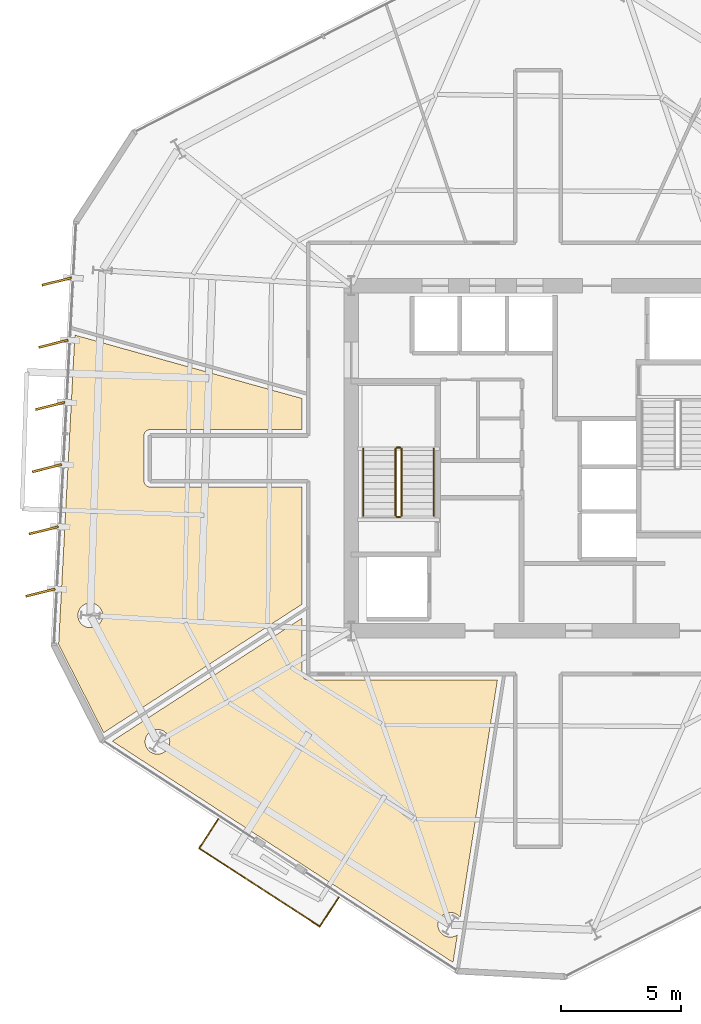
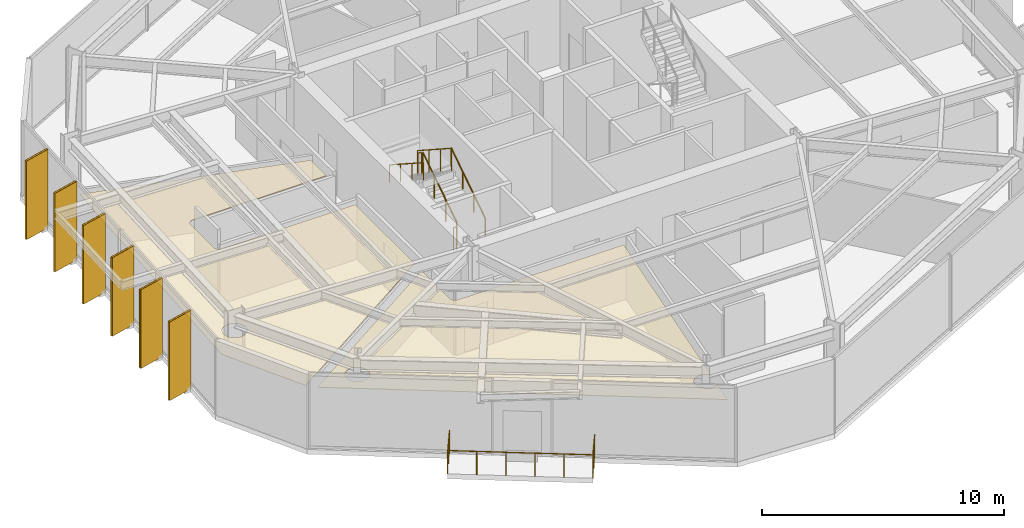
# One storey, part 9 of 10: 8 coverings, 7 railings, 6 shading devices.
"""IFC4 building model written with IfcOpenShell, lengths in metres."""

import ifcopenshell
import ifcopenshell.guid

model = None  # the IFC model being written
_history = None  # IfcOwnerHistory: only IFC2X3 demands one
_inside = {}  # id of a spatial element -> (the spatial element, [elements in it])
_under = {}  # id of a project, library or spatial element -> (it, [spatial elements below it])
_declared = {}  # id of a project -> (the project, [libraries it declares])
_typed = {}  # id of a type object -> (the type object, [elements of that type])
_made_of = {}  # id of a material, layer set ... -> (it, [elements and type objects made of it])


def new_model(schema):
    """Start an empty IFC model of exactly this schema.

    Asked for "IFC4X3", IfcOpenShell would pick the latest addendum, in which some entities
    have other attributes; the version numbers below select the first issue.
    IFC2X3 requires an IfcOwnerHistory on every rooted entity: one is made here for all.
    """
    global model, _history
    if schema == "IFC4X3":
        model = ifcopenshell.file(schema_version=(4, 3, 0, 0))
    else:
        model = ifcopenshell.file(schema=schema)
    _inside.clear()
    _under.clear()
    _declared.clear()
    _typed.clear()
    _made_of.clear()
    _history = None
    if model.schema == "IFC2X3":
        org = make("IfcOrganization", Name="unknown")
        user = make(
            "IfcPersonAndOrganization",
            ThePerson=make("IfcPerson", FamilyName="unknown"),
            TheOrganization=org,
        )
        app = make(
            "IfcApplication",
            ApplicationDeveloper=org,
            Version="unknown",
            ApplicationFullName="unknown",
            ApplicationIdentifier="unknown",
        )
        _history = make(
            "IfcOwnerHistory",
            OwningUser=user,
            OwningApplication=app,
            ChangeAction="ADDED",
            CreationDate=0,
        )
    return model


def make(cls, **values):
    """One entity of the class cls with the attributes given. An attribute that is None is left unset."""
    return model.create_entity(
        cls, **{name: value for name, value in values.items() if value is not None}
    )


def rooted(cls, **values):
    """An entity with a GlobalId (a new one), such as an element, a storey or a relation."""
    return make(cls, GlobalId=ifcopenshell.guid.new(), OwnerHistory=_history, **values)


def si_unit(unit_type, name, prefix=None):
    """IfcSIUnit, for example si_unit("LENGTHUNIT", "METRE", prefix="MILLI")."""
    return make("IfcSIUnit", UnitType=unit_type, Prefix=prefix, Name=name)


def assignment(units):
    """IfcUnitAssignment: the units of a project."""
    return None if units is None else make("IfcUnitAssignment", Units=units)


def point(xyz):
    """IfcCartesianPoint."""
    return None if xyz is None else make("IfcCartesianPoint", Coordinates=xyz)


def direction(xyz):
    """IfcDirection."""
    return None if xyz is None else make("IfcDirection", DirectionRatios=xyz)


def frame(location, z_axis=None, x_axis=None):
    """IfcAxis2Placement3D, a coordinate frame: its origin and axes. An axis left out is left unset."""
    return make(
        "IfcAxis2Placement3D",
        Location=point(location),
        Axis=direction(z_axis),
        RefDirection=direction(x_axis),
    )


def frame_2d(location, x_axis=None):
    """IfcAxis2Placement2D, a coordinate frame in the plane: its origin and x axis."""
    return make(
        "IfcAxis2Placement2D", Location=point(location), RefDirection=direction(x_axis)
    )


def origin():
    """The frame at (0, 0, 0) with its axes left unset."""
    return frame((0.0, 0.0, 0.0))


def origin_2d():
    """The frame at (0, 0) in the plane with its x axis left unset."""
    return frame_2d((0.0, 0.0))


def place(relative_to, where):
    """IfcLocalPlacement: puts the frame where relative to a parent placement (None: the world)."""
    return make(
        "IfcLocalPlacement", PlacementRelTo=relative_to, RelativePlacement=where
    )


def context(
    kind, dimensions, precision=None, world=None, true_north=None, identifier=None
):
    """IfcGeometricRepresentationContext, for example the 3D "Model" context."""
    return make(
        "IfcGeometricRepresentationContext",
        ContextIdentifier=identifier,
        ContextType=kind,
        CoordinateSpaceDimension=dimensions,
        Precision=precision,
        WorldCoordinateSystem=world,
        TrueNorth=true_north,
    )


def subcontext(parent, identifier, kind, view, scale=None):
    """IfcGeometricRepresentationSubContext, for example "Body" below "Model"."""
    return make(
        "IfcGeometricRepresentationSubContext",
        ContextIdentifier=identifier,
        ContextType=kind,
        ParentContext=parent,
        TargetScale=scale,
        TargetView=view,
    )


def project(units=None, contexts=None):
    """IfcProject with its units and contexts."""
    return rooted(
        "IfcProject",
        Name="project",
        RepresentationContexts=contexts,
        UnitsInContext=assignment(units),
    )


def spatial(cls, under=None, at=None, **own):
    """A site, building, storey or space (cls), placed at a placement, below another one or the project."""
    s = rooted(cls, ObjectPlacement=at, **own)
    if under is not None:
        _under.setdefault(under.id(), (under, []))[1].append(s)
    return s


def polyline(points):
    """IfcPolyline through the points."""
    return make("IfcPolyline", Points=[point(p) for p in points])


def profile(cls, at=None, kind="AREA", **sizes):
    """A parametric profile (cls). Its sizes go by their IFC names, for example OverallWidth=200.0."""
    return make(cls, ProfileType=kind, Position=at, **sizes)


def rectangle(**sizes):
    """IfcRectangleProfileDef."""
    return profile("IfcRectangleProfileDef", **sizes)


def circle(**sizes):
    """IfcCircleProfileDef."""
    return profile("IfcCircleProfileDef", **sizes)


def outline(outer, holes=None, kind="AREA"):
    """IfcArbitraryClosedProfileDef: a profile drawn as a closed curve; with holes, ...WithVoids."""
    if holes is None:
        return make("IfcArbitraryClosedProfileDef", ProfileType=kind, OuterCurve=outer)
    return make(
        "IfcArbitraryProfileDefWithVoids",
        ProfileType=kind,
        OuterCurve=outer,
        InnerCurves=holes,
    )


def extrude(swept, where, along, depth):
    """IfcExtrudedAreaSolid: the profile swept, set in the frame where, extruded along a direction by depth."""
    return make(
        "IfcExtrudedAreaSolid",
        SweptArea=swept,
        Position=where,
        ExtrudedDirection=direction(along),
        Depth=depth,
    )


def shape(context_of_items, identifier, shape_type, items):
    """IfcShapeRepresentation: the items that make up one representation, for example the "Body"."""
    return make(
        "IfcShapeRepresentation",
        ContextOfItems=context_of_items,
        RepresentationIdentifier=identifier,
        RepresentationType=shape_type,
        Items=items,
    )


def material(Name=None, Category=None):
    """IfcMaterial."""
    return make("IfcMaterial", Name=Name, Category=Category)


def layer(
    of_material, thickness, ventilated=None, Name=None, Category=None, Priority=None
):
    """IfcMaterialLayer: one layer of a wall or slab, of a material (None: an air gap)."""
    return make(
        "IfcMaterialLayer",
        Material=of_material,
        LayerThickness=thickness,
        IsVentilated=ventilated,
        Name=Name,
        Category=Category,
        Priority=Priority,
    )


def layer_set(layers, Name=None):
    """IfcMaterialLayerSet."""
    return make("IfcMaterialLayerSet", MaterialLayers=layers, LayerSetName=Name)


def made_of(thing, what):
    """Note that an element or type object is made of a material, layer set ...; save() writes the relation."""
    if what is not None:
        _made_of.setdefault(what.id(), (what, []))[1].append(thing)
    return thing


def type_object(cls, material=None, **own):
    """A type object (cls), such as IfcWallType, which elements share."""
    return made_of(rooted(cls, **own), material)


def element(
    cls,
    number,
    at=None,
    inside=None,
    cuts=None,
    type_object=None,
    material=None,
    context=None,
    identifier="Body",
    shape_type=None,
    held_by="IfcProductDefinitionShape",
    body=None,
    shapes=None,
    **own,
):
    """One element of the class cls, such as IfcWall. Its Tag is "e" and its number.

    at: its placement. inside: the storey or other place that contains it. cuts: it is an
    opening in that element (IfcRelVoidsElement). A single representation is given by context,
    identifier, shape_type and body (its items); several are given by shapes. held_by: the class
    of the entity that holds the representations. save() writes the other relations.
    """
    e = rooted(cls, Tag="e%d" % number, ObjectPlacement=at, **own)
    if body is not None:
        shapes = [shape(context, identifier, shape_type, body)]
    if shapes is not None:
        e.Representation = make(held_by, Representations=shapes)
    if inside is not None:
        _inside.setdefault(inside.id(), (inside, []))[1].append(e)
    if cuts is not None:
        rooted(
            "IfcRelVoidsElement", RelatingBuildingElement=cuts, RelatedOpeningElement=e
        )
    if type_object is not None:
        _typed.setdefault(type_object.id(), (type_object, []))[1].append(e)
    return made_of(e, material)


def aggregate(whole, parts):
    """IfcRelAggregates: a whole, such as a stair, and the parts it consists of."""
    return rooted("IfcRelAggregates", RelatingObject=whole, RelatedObjects=parts)


def save(model, path):
    """Write the relations noted so far, then the file.

    IfcRelAggregates (storeys below a building ...), IfcRelContainedInSpatialStructure (elements
    in a storey), IfcRelDefinesByType, IfcRelAssociatesMaterial and IfcRelDeclares: one each for
    every whole, place, type object, material and project.
    """
    for whole, parts in _under.values():
        aggregate(whole, parts)
    for where, things in _inside.values():
        rooted(
            "IfcRelContainedInSpatialStructure",
            RelatedElements=things,
            RelatingStructure=where,
        )
    for kind, things in _typed.values():
        rooted("IfcRelDefinesByType", RelatedObjects=things, RelatingType=kind)
    for what, things in _made_of.values():
        rooted("IfcRelAssociatesMaterial", RelatedObjects=things, RelatingMaterial=what)
    for by, libraries in _declared.values():
        rooted("IfcRelDeclares", RelatingContext=by, RelatedDefinitions=libraries)
    model.write(path)


model = new_model("IFC4")

# Units and contexts
model_context = context("Model", 3, precision=1e-05, world=origin(), true_north=direction((0.0, 1.0)))
body_context = subcontext(model_context, "Body", "Model", "MODEL_VIEW")
ifc_project = project(units=[si_unit("LENGTHUNIT", "METRE"), si_unit("AREAUNIT", "SQUARE_METRE"), si_unit("VOLUMEUNIT", "CUBIC_METRE"), si_unit("PLANEANGLEUNIT", "RADIAN"), si_unit("MASSUNIT", "GRAM", prefix="KILO")], contexts=[model_context])

# Site, building, storey
site_placement = place(None, origin())
site = spatial("IfcSite", under=ifc_project, at=site_placement, CompositionType="ELEMENT")
building_placement = place(site_placement, origin())
building = spatial("IfcBuilding", under=site, at=building_placement, Name="Kranzbogen Civic Tower", CompositionType="ELEMENT")
storey_placement = place(building_placement, frame((0.0, 0.0, 130.39990234375)))
storey = spatial("IfcBuildingStorey", under=building, at=storey_placement, Name="L31", CompositionType="ELEMENT", Elevation=130.39990234375)

# Coverings
ifc_material_1 = material(Name="Pale Anodised Aluminium", Category="aluminium")
ifc_layer_1 = layer(ifc_material_1, 0.02490234375, Name="Pale Anodised Aluminium")
ifc_layer_set_1 = layer_set([ifc_layer_1], Name="Pale Anodised Aluminium")
covering_type_1 = type_object("IfcCoveringType", Name="Anodised Aluminium Vertical Fin Cladding 25 mm", PredefinedType="CLADDING", material=ifc_layer_set_1)
for number, where, z_axis, x_axis, name in (
    (1, (4.912109375, 32.376953125, -0.139892578125), (0.0, 0.0, 1.0), (-0.969889020457, -0.243547301352, 0.0), "L31 vertical fin pale-metal cladding F3-1"),
    (2, (4.77490234375, 29.781005859375, -0.139892578125), (0.0, 0.0, 1.0), (-0.969889020457, -0.243547301352, 0.0), "L31 vertical fin pale-metal cladding F3-2"),
    (3, (4.638916015625, 27.18408203125, -0.139892578125), (0.0, 0.0, 1.0), (-0.969889020457, -0.243547301352, 0.0), "L31 vertical fin pale-metal cladding F3-3"),
    (4, (4.5029296875, 24.587890625, -0.139892578125), (0.0, 0.0, 1.0), (-0.969889020457, -0.243547301352, 0.0), "L31 vertical fin pale-metal cladding F3-4"),
    (5, (4.366943359375, 21.991943359375, -0.139892578125), (0.0, 0.0, 1.0), (-0.969889020457, -0.243547301352, 0.0), "L31 vertical fin pale-metal cladding F3-5"),
    (6, (4.23095703125, 19.39501953125, -0.139892578125), (0.0, 0.0, 1.0), (-0.969889020457, -0.243547301352, 0.0), "L31 vertical fin pale-metal cladding F3-6"),
):
    element("IfcCovering", number, at=place(storey_placement, frame(where, z_axis=z_axis, x_axis=x_axis)), inside=storey, type_object=covering_type_1, Name=name, PredefinedType="CLADDING", context=body_context, shape_type="SweptSolid", body=[
        extrude(rectangle(XDim=1.25, YDim=0.10009765625, at=origin_2d()), origin(), (0.0, 0.0, 1.0), 3.9599609375),
    ])

# Shading devices
ifc_material_2 = material(Name="Anodised Bronze Aluminium", Category="aluminium")
shading_device_type = type_object("IfcShadingDeviceType", Name="Anodised Bronze Vertical Facade Fin 1250x80", PredefinedType="USERDEFINED", material=ifc_material_2)
for number, where, z_axis, x_axis, name in (
    (7, (4.912109375, 32.376953125, -0.139892578125), (0.0, 0.0, 1.0), (-0.969889020457, -0.243547301352, 0.0), "L31 vertical exterior shading fin F3-1"),
    (8, (4.77490234375, 29.781005859375, -0.139892578125), (0.0, 0.0, 1.0), (-0.969889020457, -0.243547301352, 0.0), "L31 vertical exterior shading fin F3-2"),
    (9, (4.638916015625, 27.18408203125, -0.139892578125), (0.0, 0.0, 1.0), (-0.969889020457, -0.243547301352, 0.0), "L31 vertical exterior shading fin F3-3"),
    (10, (4.5029296875, 24.587890625, -0.139892578125), (0.0, 0.0, 1.0), (-0.969889020457, -0.243547301352, 0.0), "L31 vertical exterior shading fin F3-4"),
    (11, (4.366943359375, 21.991943359375, -0.139892578125), (0.0, 0.0, 1.0), (-0.969889020457, -0.243547301352, 0.0), "L31 vertical exterior shading fin F3-5"),
    (12, (4.23095703125, 19.39501953125, -0.139892578125), (0.0, 0.0, 1.0), (-0.969889020457, -0.243547301352, 0.0), "L31 vertical exterior shading fin F3-6"),
):
    element("IfcShadingDevice", number, at=place(storey_placement, frame(where, z_axis=z_axis, x_axis=x_axis)), inside=storey, type_object=shading_device_type, Name=name, ObjectType="FIN", PredefinedType="USERDEFINED", context=body_context, shape_type="SweptSolid", body=[
        extrude(rectangle(XDim=1.25, YDim=0.080078125, at=origin_2d()), origin(), (0.0, 0.0, 1.0), 3.9599609375),
    ])

# Railings
railing_type_1 = type_object("IfcRailingType", Name="Cantilevered Balcony Glass and Bronze Balustrade 1200", PredefinedType="BALUSTRADE", material=ifc_material_2)
railing_1_placement = place(storey_placement, frame((11.64599609375, 9.944091796875, 0.0)))
element("IfcRailing", 13, at=railing_1_placement, inside=storey, type_object=railing_type_1, Name="L31 exterior terrace balustrade L31-TB1", PredefinedType="BALUSTRADE", context=body_context, shape_type="SweptSolid", body=[
    extrude(circle(Radius=0.02392578125, at=origin_2d()), frame((0.0, 0.0, 1.17578125), z_axis=(-0.544793057183, -0.83857052467, 0.0), x_axis=(0.83857052467, -0.544793057183, 0.0)), (0.0, 0.0, 1.0), 1.4501953125),
    extrude(circle(Radius=0.02392578125, at=origin_2d()), frame((-0.7900390625, -1.216064453125, 1.17578125), z_axis=(0.838725209156, -0.544554885688, 0.0), x_axis=(0.544554885688, 0.838725209156, 0.0)), (0.0, 0.0, 1.0), 5.99951171875),
    extrude(circle(Radius=0.02392578125, at=origin_2d()), frame((4.241943359375, -4.483154296875, 1.17578125), z_axis=(0.544793057183, 0.83857052467, 0.0), x_axis=(-0.83857052467, 0.544793057183, 0.0)), (0.0, 0.0, 1.0), 1.4501953125),
    extrude(circle(Radius=0.02099609375, at=origin_2d()), origin(), (0.0, 0.0, 1.0), 1.15185546875),
    extrude(circle(Radius=0.02099609375, at=origin_2d()), frame((-0.39501953125, -0.60791015625, 0.0)), (0.0, 0.0, 1.0), 1.15185546875),
    extrude(circle(Radius=0.02099609375, at=origin_2d()), frame((-0.7900390625, -1.216064453125, 0.0)), (0.0, 0.0, 1.0), 1.15185546875),
    extrude(circle(Radius=0.02099609375, at=origin_2d()), frame((0.21630859375, -1.869384765625, 0.0)), (0.0, 0.0, 1.0), 1.15185546875),
    extrude(circle(Radius=0.02099609375, at=origin_2d()), frame((1.22265625, -2.52294921875, 0.0)), (0.0, 0.0, 1.0), 1.15185546875),
    extrude(circle(Radius=0.02099609375, at=origin_2d()), frame((2.229248046875, -3.17626953125, 0.0)), (0.0, 0.0, 1.0), 1.15185546875),
    extrude(circle(Radius=0.02099609375, at=origin_2d()), frame((3.235595703125, -3.829833984375, 0.0)), (0.0, 0.0, 1.0), 1.15185546875),
    extrude(circle(Radius=0.02099609375, at=origin_2d()), frame((4.241943359375, -4.483154296875, 0.0)), (0.0, 0.0, 1.0), 1.15185546875),
    extrude(circle(Radius=0.02099609375, at=origin_2d()), frame((4.636962890625, -3.875, 0.0)), (0.0, 0.0, 1.0), 1.15185546875),
    extrude(circle(Radius=0.02099609375, at=origin_2d()), frame((5.031982421875, -3.26708984375, 0.0)), (0.0, 0.0, 1.0), 1.15185546875),
])
ifc_material_3 = material(Name="Steel S355", Category="steel")
railing_type_2 = type_object("IfcRailingType", Name="Internal Stair and Void Steel Guardrail 1150", PredefinedType="GUARDRAIL", material=ifc_material_3)
railing_2_placement = place(storey_placement, frame((19.300048828125, 22.60009765625, 0.181884765625)))
element("IfcRailing", 14, at=railing_2_placement, inside=storey, type_object=railing_type_2, Name="L31 ST-T1 stair guard 1", PredefinedType="GUARDRAIL", context=body_context, shape_type="SweptSolid", body=[
    extrude(circle(Radius=0.02392578125, at=origin_2d()), frame((0.0, 0.0, 1.1259765625), z_axis=(0.0, 0.83868413941, 0.544618136222), x_axis=(-1.0, 0.0, 0.0)), (0.0, 0.0, 1.0), 3.33837890625),
    extrude(circle(Radius=0.02099609375, at=origin_2d()), origin(), (0.0, 0.0, 1.0), 1.101806640625),
    extrude(circle(Radius=0.02099609375, at=origin_2d()), frame((0.0, 0.933349609375, 0.60595703125)), (0.0, 0.0, 1.0), 1.101806640625),
    extrude(circle(Radius=0.02099609375, at=origin_2d()), frame((0.0, 1.866455078125, 1.212158203125)), (0.0, 0.0, 1.0), 1.101806640625),
    extrude(circle(Radius=0.02099609375, at=origin_2d()), frame((0.0, 2.7998046875, 1.818115234375)), (0.0, 0.0, 1.0), 1.101806640625),
])
railing_3_placement = place(storey_placement, frame((19.25, 25.449951171875, 2.0)))
element("IfcRailing", 15, at=railing_3_placement, inside=storey, type_object=railing_type_2, Name="L31 ST-T1 stair guard 2", PredefinedType="GUARDRAIL", context=body_context, shape_type="SweptSolid", body=[
    extrude(circle(Radius=0.02392578125, at=origin_2d()), frame((0.0, 0.0, 1.1259765625), z_axis=(-1.0, 0.0, 0.0), x_axis=(0.0, -1.0, 0.0)), (0.0, 0.0, 1.0), 0.14990234375),
    extrude(circle(Radius=0.02099609375, at=origin_2d()), origin(), (0.0, 0.0, 1.0), 1.101806640625),
    extrude(circle(Radius=0.02099609375, at=origin_2d()), frame((-0.14990234375, 0.0, 0.0)), (0.0, 0.0, 1.0), 1.101806640625),
])
railing_4_placement = place(storey_placement, frame((19.050048828125, 25.39990234375, 2.181884765625)))
element("IfcRailing", 16, at=railing_4_placement, inside=storey, type_object=railing_type_2, Name="L31 ST-T1 stair guard 3", PredefinedType="GUARDRAIL", context=body_context, shape_type="SweptSolid", body=[
    extrude(circle(Radius=0.02392578125, at=origin_2d()), frame((0.0, 0.0, 1.1259765625), z_axis=(0.0, -0.83868413941, 0.544618136222), x_axis=(1.0, 0.0, 0.0)), (0.0, 0.0, 1.0), 3.33837890625),
    extrude(circle(Radius=0.02099609375, at=origin_2d()), origin(), (0.0, 0.0, 1.0), 1.101806640625),
    extrude(circle(Radius=0.02099609375, at=origin_2d()), frame((0.0, -0.933349609375, 0.60595703125)), (0.0, 0.0, 1.0), 1.101806640625),
    extrude(circle(Radius=0.02099609375, at=origin_2d()), frame((0.0, -1.866455078125, 1.212158203125)), (0.0, 0.0, 1.0), 1.101806640625),
    extrude(circle(Radius=0.02099609375, at=origin_2d()), frame((0.0, -2.7998046875, 1.818115234375)), (0.0, 0.0, 1.0), 1.101806640625),
])
railing_5_placement = place(storey_placement, frame((19.25, 22.550048828125, 0.0)))
element("IfcRailing", 17, at=railing_5_placement, inside=storey, type_object=railing_type_2, Name="L31 ST-T1 stair guard 4", PredefinedType="GUARDRAIL", context=body_context, shape_type="SweptSolid", body=[
    extrude(circle(Radius=0.02392578125, at=origin_2d()), frame((0.0, 0.0, 1.1259765625), z_axis=(-1.0, 0.0, 0.0), x_axis=(0.0, -1.0, 0.0)), (0.0, 0.0, 1.0), 0.14990234375),
    extrude(circle(Radius=0.02099609375, at=origin_2d()), origin(), (0.0, 0.0, 1.0), 1.101806640625),
    extrude(circle(Radius=0.02099609375, at=origin_2d()), frame((-0.14990234375, 0.0, 0.0)), (0.0, 0.0, 1.0), 1.101806640625),
])

# Coverings
ifc_material_4 = material(Name="Perforated Acoustic Gypsum Ceiling")
ifc_layer_2 = layer(ifc_material_4, 0.02490234375, Name="Perforated Acoustic Gypsum Ceiling")
ifc_layer_set_2 = layer_set([ifc_layer_2], Name="Perforated Acoustic Gypsum Ceiling")
covering_type_2 = type_object("IfcCoveringType", Name="Perforated Acoustic Mineral Ceiling Tile 25 mm", PredefinedType="CEILING", material=ifc_layer_set_2)
covering_1_placement = place(storey_placement, frame((0.0, 0.0, 2.900146484375)))
element("IfcCovering", 18, at=covering_1_placement, inside=storey, type_object=covering_type_2, Name="L31 Executive Briefing Conference Room acoustic ceiling", PredefinedType="CEILING", context=body_context, shape_type="SweptSolid", body=[
    extrude(outline(polyline([(5.66796875, 30.139892578125), (15.155029296875, 27.492919921875), (15.155029296875, 26.195068359375), (8.800048828125, 26.195068359375), (8.791015625, 26.195068359375), (8.784912109375, 26.194091796875), (8.76708984375, 26.193115234375), (8.760986328125, 26.19189453125), (8.743896484375, 26.18798828125), (8.737060546875, 26.18701171875), (8.719970703125, 26.181884765625), (8.714111328125, 26.179931640625), (8.697998046875, 26.173095703125), (8.69189453125, 26.169921875), (8.677001953125, 26.162109375), (8.6708984375, 26.157958984375), (8.656982421875, 26.14892578125), (8.652099609375, 26.14501953125), (8.637939453125, 26.134033203125), (8.633056640625, 26.12890625), (8.62109375, 26.116943359375), (8.615966796875, 26.112060546875), (8.60498046875, 26.097900390625), (8.60107421875, 26.093017578125), (8.592041015625, 26.0791015625), (8.587890625, 26.072998046875), (8.580078125, 26.05810546875), (8.576904296875, 26.052001953125), (8.570068359375, 26.035888671875), (8.568115234375, 26.030029296875), (8.56298828125, 26.012939453125), (8.56201171875, 26.006103515625), (8.55810546875, 25.989013671875), (8.556884765625, 25.98291015625), (8.555908203125, 25.965087890625), (8.554931640625, 25.958984375), (8.554931640625, 25.949951171875), (8.554931640625, 24.050048828125), (8.554931640625, 24.041015625), (8.555908203125, 24.034912109375), (8.556884765625, 24.01708984375), (8.55810546875, 24.010986328125), (8.56201171875, 23.993896484375), (8.56298828125, 23.987060546875), (8.568115234375, 23.969970703125), (8.570068359375, 23.964111328125), (8.576904296875, 23.947998046875), (8.580078125, 23.94189453125), (8.587890625, 23.927001953125), (8.592041015625, 23.9208984375), (8.60107421875, 23.906982421875), (8.60498046875, 23.902099609375), (8.615966796875, 23.887939453125), (8.62109375, 23.883056640625), (8.633056640625, 23.87109375), (8.637939453125, 23.865966796875), (8.652099609375, 23.85498046875), (8.656982421875, 23.85107421875), (8.6708984375, 23.842041015625), (8.677001953125, 23.837890625), (8.69189453125, 23.830078125), (8.697998046875, 23.826904296875), (8.714111328125, 23.820068359375), (8.719970703125, 23.818115234375), (8.737060546875, 23.81298828125), (8.743896484375, 23.81201171875), (8.760986328125, 23.80810546875), (8.76708984375, 23.806884765625), (8.784912109375, 23.805908203125), (8.791015625, 23.804931640625), (8.800048828125, 23.804931640625), (15.155029296875, 23.804931640625), (15.155029296875, 18.9169921875), (6.866943359375, 13.550048828125), (4.990966796875, 17.23193359375), (5.66796875, 30.139892578125)]), holes=[polyline([(6.784912109375, 18.2470703125), (6.763916015625, 18.201904296875), (6.738037109375, 18.157958984375), (6.7080078125, 18.117919921875), (6.674072265625, 18.080078125), (6.635986328125, 18.0458984375), (6.595947265625, 18.01611328125), (6.552001953125, 17.989990234375), (6.507080078125, 17.968994140625), (6.458984375, 17.951904296875), (6.409912109375, 17.93994140625), (6.360107421875, 17.931884765625), (6.31005859375, 17.929931640625), (6.260009765625, 17.931884765625), (6.2099609375, 17.93994140625), (6.160888671875, 17.951904296875), (6.113037109375, 17.968994140625), (6.068115234375, 17.989990234375), (6.02392578125, 18.01611328125), (5.98388671875, 18.0458984375), (5.946044921875, 18.080078125), (5.912109375, 18.117919921875), (5.882080078125, 18.157958984375), (5.85595703125, 18.201904296875), (5.8349609375, 18.2470703125), (5.818115234375, 18.294921875), (5.805908203125, 18.343994140625), (5.798095703125, 18.39404296875), (5.7958984375, 18.444091796875), (5.798095703125, 18.493896484375), (5.805908203125, 18.5439453125), (5.818115234375, 18.593017578125), (5.8349609375, 18.64111328125), (5.85595703125, 18.68603515625), (5.882080078125, 18.72998046875), (5.912109375, 18.77001953125), (5.946044921875, 18.80810546875), (5.98388671875, 18.842041015625), (6.02392578125, 18.8720703125), (6.068115234375, 18.89794921875), (6.113037109375, 18.9189453125), (6.160888671875, 18.93603515625), (6.2099609375, 18.947998046875), (6.260009765625, 18.9560546875), (6.31005859375, 18.9580078125), (6.360107421875, 18.9560546875), (6.409912109375, 18.947998046875), (6.458984375, 18.93603515625), (6.507080078125, 18.9189453125), (6.552001953125, 18.89794921875), (6.595947265625, 18.8720703125), (6.635986328125, 18.842041015625), (6.674072265625, 18.80810546875), (6.7080078125, 18.77001953125), (6.738037109375, 18.72998046875), (6.763916015625, 18.68603515625), (6.784912109375, 18.64111328125), (6.802001953125, 18.593017578125), (6.81396484375, 18.5439453125), (6.822021484375, 18.493896484375), (6.823974609375, 18.444091796875), (6.822021484375, 18.39404296875), (6.81396484375, 18.343994140625), (6.802001953125, 18.294921875), (6.784912109375, 18.2470703125)])]), origin(), (0.0, 0.0, 1.0), 0.02490234375),
])
covering_2_placement = place(storey_placement, frame((0.0, 0.0, 2.900146484375)))
element("IfcCovering", 19, at=covering_2_placement, inside=storey, type_object=covering_type_2, Name="L31 Parliamentary Review Boardroom acoustic ceiling", PredefinedType="CEILING", context=body_context, shape_type="SweptSolid", body=[
    extrude(outline(polyline([(15.155029296875, 18.3330078125), (15.155029296875, 16.0), (15.155029296875, 15.990966796875), (15.156005859375, 15.985107421875), (15.156982421875, 15.967041015625), (15.157958984375, 15.9609375), (15.162109375, 15.944091796875), (15.1630859375, 15.93701171875), (15.16796875, 15.919921875), (15.169921875, 15.9140625), (15.177001953125, 15.89794921875), (15.179931640625, 15.89208984375), (15.18798828125, 15.876953125), (15.19189453125, 15.87109375), (15.200927734375, 15.85693359375), (15.205078125, 15.85205078125), (15.216064453125, 15.837890625), (15.220947265625, 15.8330078125), (15.23291015625, 15.821044921875), (15.238037109375, 15.81591796875), (15.251953125, 15.804931640625), (15.257080078125, 15.801025390625), (15.27099609375, 15.7919921875), (15.277099609375, 15.7880859375), (15.2919921875, 15.780029296875), (15.298095703125, 15.777099609375), (15.31396484375, 15.77001953125), (15.320068359375, 15.76806640625), (15.3369140625, 15.762939453125), (15.343994140625, 15.761962890625), (15.361083984375, 15.758056640625), (15.366943359375, 15.757080078125), (15.385009765625, 15.756103515625), (15.39111328125, 15.7548828125), (15.39990234375, 15.7548828125), (23.300048828125, 15.7548828125), (21.742919921875, 5.843994140625), (21.72998046875, 5.862060546875), (21.696044921875, 5.89990234375), (21.657958984375, 5.93408203125), (21.617919921875, 5.964111328125), (21.573974609375, 5.989990234375), (21.529052734375, 6.010986328125), (21.48095703125, 6.028076171875), (21.431884765625, 6.0400390625), (21.382080078125, 6.048095703125), (21.33203125, 6.050048828125), (21.281982421875, 6.048095703125), (21.23193359375, 6.0400390625), (21.18310546875, 6.028076171875), (21.135009765625, 6.010986328125), (21.090087890625, 5.989990234375), (21.0458984375, 5.964111328125), (21.006103515625, 5.93408203125), (20.968017578125, 5.89990234375), (20.93408203125, 5.862060546875), (20.904052734375, 5.822021484375), (20.8779296875, 5.778076171875), (20.85693359375, 5.73291015625), (20.840087890625, 5.68505859375), (20.827880859375, 5.635986328125), (20.820068359375, 5.5859375), (20.818115234375, 5.535888671875), (20.820068359375, 5.486083984375), (20.827880859375, 5.43603515625), (20.840087890625, 5.386962890625), (20.85693359375, 5.339111328125), (20.8779296875, 5.2939453125), (20.904052734375, 5.25), (20.93408203125, 5.2099609375), (20.968017578125, 5.172119140625), (21.006103515625, 5.137939453125), (21.0458984375, 5.10791015625), (21.090087890625, 5.08203125), (21.135009765625, 5.06103515625), (21.18310546875, 5.0439453125), (21.23193359375, 5.031982421875), (21.281982421875, 5.02392578125), (21.33203125, 5.02197265625), (21.382080078125, 5.02392578125), (21.431884765625, 5.031982421875), (21.48095703125, 5.0439453125), (21.529052734375, 5.06103515625), (21.573974609375, 5.08203125), (21.617919921875, 5.10791015625), (21.62890625, 5.116943359375), (21.447998046875, 3.966064453125), (7.22900390625, 13.199951171875), (15.155029296875, 18.3330078125)]), holes=[polyline([(9.589111328125, 12.97412109375), (9.568115234375, 12.928955078125), (9.5419921875, 12.885009765625), (9.511962890625, 12.844970703125), (9.47802734375, 12.806884765625), (9.43994140625, 12.77294921875), (9.39990234375, 12.742919921875), (9.35595703125, 12.717041015625), (9.31103515625, 12.696044921875), (9.262939453125, 12.678955078125), (9.214111328125, 12.6669921875), (9.1640625, 12.658935546875), (9.114013671875, 12.656982421875), (9.06396484375, 12.658935546875), (9.013916015625, 12.6669921875), (8.965087890625, 12.678955078125), (8.9169921875, 12.696044921875), (8.8720703125, 12.717041015625), (8.827880859375, 12.742919921875), (8.7880859375, 12.77294921875), (8.75, 12.806884765625), (8.716064453125, 12.844970703125), (8.68603515625, 12.885009765625), (8.659912109375, 12.928955078125), (8.638916015625, 12.97412109375), (8.6220703125, 13.02197265625), (8.610107421875, 13.071044921875), (8.60205078125, 13.12109375), (8.60009765625, 13.1708984375), (8.60205078125, 13.220947265625), (8.610107421875, 13.27099609375), (8.6220703125, 13.320068359375), (8.638916015625, 13.367919921875), (8.659912109375, 13.4130859375), (8.68603515625, 13.45703125), (8.716064453125, 13.4970703125), (8.75, 13.534912109375), (8.7880859375, 13.569091796875), (8.827880859375, 13.59912109375), (8.8720703125, 13.625), (8.9169921875, 13.64599609375), (8.965087890625, 13.6630859375), (9.013916015625, 13.675048828125), (9.06396484375, 13.68310546875), (9.114013671875, 13.68505859375), (9.1640625, 13.68310546875), (9.214111328125, 13.675048828125), (9.262939453125, 13.6630859375), (9.31103515625, 13.64599609375), (9.35595703125, 13.625), (9.39990234375, 13.59912109375), (9.43994140625, 13.569091796875), (9.47802734375, 13.534912109375), (9.511962890625, 13.4970703125), (9.5419921875, 13.45703125), (9.568115234375, 13.4130859375), (9.589111328125, 13.367919921875), (9.60595703125, 13.320068359375), (9.617919921875, 13.27099609375), (9.6259765625, 13.220947265625), (9.6279296875, 13.1708984375), (9.6259765625, 13.12109375), (9.617919921875, 13.071044921875), (9.60595703125, 13.02197265625), (9.589111328125, 12.97412109375)])]), origin(), (0.0, 0.0, 1.0), 0.02490234375),
])

# Railings
railing_type_3 = type_object("IfcRailingType", Name="Tubular Stainless Stair Wall Handrail 900", PredefinedType="HANDRAIL", material=ifc_material_1)
railing_6_placement = place(storey_placement, frame((20.64990234375, 22.60009765625, 0.181884765625)))
element("IfcRailing", 20, at=railing_6_placement, inside=storey, type_object=railing_type_3, Name="L31 ST-T1 stair handrail 1", PredefinedType="HANDRAIL", context=body_context, shape_type="SweptSolid", body=[
    extrude(circle(Radius=0.02392578125, at=origin_2d()), frame((0.0, 0.0, 0.8759765625), z_axis=(0.0, 0.83868413941, 0.544618136222), x_axis=(-1.0, 0.0, 0.0)), (0.0, 0.0, 1.0), 3.33837890625),
    extrude(circle(Radius=0.02099609375, at=origin_2d()), origin(), (0.0, 0.0, 1.0), 0.851806640625),
    extrude(circle(Radius=0.02099609375, at=origin_2d()), frame((0.0, 0.933349609375, 0.60595703125)), (0.0, 0.0, 1.0), 0.851806640625),
    extrude(circle(Radius=0.02099609375, at=origin_2d()), frame((0.0, 1.866455078125, 1.212158203125)), (0.0, 0.0, 1.0), 0.851806640625),
    extrude(circle(Radius=0.02099609375, at=origin_2d()), frame((0.0, 2.7998046875, 1.818115234375)), (0.0, 0.0, 1.0), 0.851806640625),
])
railing_7_placement = place(storey_placement, frame((17.699951171875, 25.39990234375, 2.181884765625)))
element("IfcRailing", 21, at=railing_7_placement, inside=storey, type_object=railing_type_3, Name="L31 ST-T1 stair handrail 2", PredefinedType="HANDRAIL", context=body_context, shape_type="SweptSolid", body=[
    extrude(circle(Radius=0.02392578125, at=origin_2d()), frame((0.0, 0.0, 0.8759765625), z_axis=(0.0, -0.83868413941, 0.544618136222), x_axis=(1.0, 0.0, 0.0)), (0.0, 0.0, 1.0), 3.33837890625),
    extrude(circle(Radius=0.02099609375, at=origin_2d()), origin(), (0.0, 0.0, 1.0), 0.851806640625),
    extrude(circle(Radius=0.02099609375, at=origin_2d()), frame((0.0, -0.933349609375, 0.60595703125)), (0.0, 0.0, 1.0), 0.851806640625),
    extrude(circle(Radius=0.02099609375, at=origin_2d()), frame((0.0, -1.866455078125, 1.212158203125)), (0.0, 0.0, 1.0), 0.851806640625),
    extrude(circle(Radius=0.02099609375, at=origin_2d()), frame((0.0, -2.7998046875, 1.818115234375)), (0.0, 0.0, 1.0), 0.851806640625),
])

save(model, "model.ifc")
